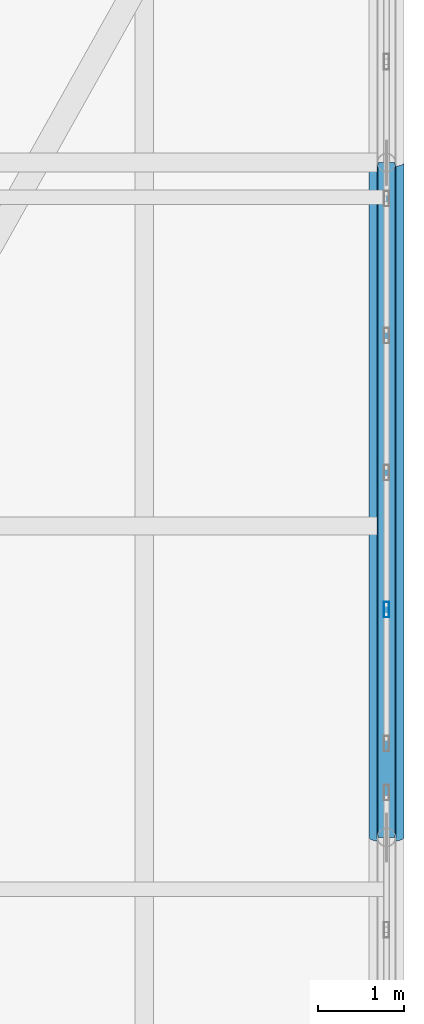
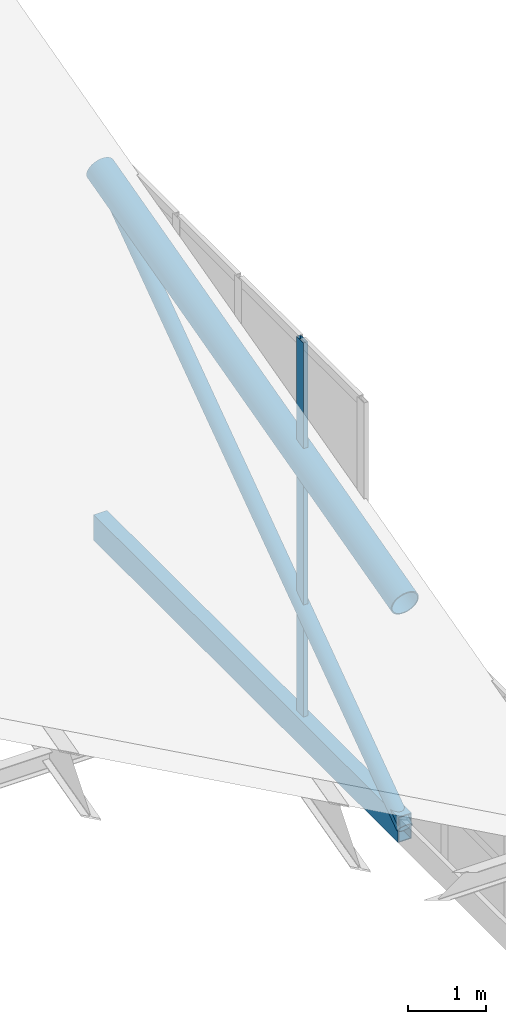
# One storey, part 26 of 43: 4 members, 1 element without a shape of its own.
"""IFC4 building model written with IfcOpenShell, lengths in metres."""

from ifc_helpers import new_model, si_unit, direction, frame, origin, origin_2d, place, context, subcontext, project, spatial, hollow_rectangle, hollow_circle, extrude, material, layer, layer_set, material_profile, profile_set, type_object, element, aggregate, save


model = new_model("IFC4")

# Units and contexts
model_context = context("Model", 3, precision=1e-05, world=origin(), true_north=direction((0.0, 1.0)))
body_context = subcontext(model_context, "Body", "Model", "MODEL_VIEW")
ifc_project = project(units=[si_unit("LENGTHUNIT", "METRE"), si_unit("AREAUNIT", "SQUARE_METRE"), si_unit("VOLUMEUNIT", "CUBIC_METRE"), si_unit("PLANEANGLEUNIT", "RADIAN"), si_unit("MASSUNIT", "GRAM", prefix="KILO")], contexts=[model_context])

# Site, building, storey
site_placement = place(None, origin())
site = spatial("IfcSite", under=ifc_project, at=site_placement, CompositionType="ELEMENT")
building_placement = place(site_placement, origin())
building = spatial("IfcBuilding", under=site, at=building_placement, Name="Selat Folded Stagehouse", CompositionType="ELEMENT")
storey_placement = place(building_placement, frame((0.0, 0.0, 32.39990234375)))
storey = spatial("IfcBuildingStorey", under=building, at=storey_placement, Name="RF", CompositionType="ELEMENT", Elevation=32.39990234375)

# Curtain wall, member
ifc_material_1 = material(Name="Aluminium 6063-T6", Category="aluminium")
ifc_layer = layer(ifc_material_1, 0.169921875)
ifc_layer_set = layer_set([ifc_layer], Name="Aluminium 6063-T6")
curtain_wall_type = type_object("IfcCurtainWallType", Name="CW-CRN-CLER", PredefinedType="NOTDEFINED", material=ifc_layer_set)
curtain_wall_placement = place(storey_placement, origin())
curtain_wall = element("IfcCurtainWall", 1, at=curtain_wall_placement, inside=storey, type_object=curtain_wall_type, Name="RF curtain wall CW-RF-E-02", PredefinedType="NOTDEFINED")
ifc_material_profile_1 = material_profile(ifc_material_1, hollow_rectangle(XDim=0.06494140625, YDim=0.179931640625, WallThickness=0.00390625, at=origin_2d()), Name="ALU 180x65x4.0")
ifc_profile_set_1 = profile_set([ifc_material_profile_1], Name="Aluminium 6063-T6")
member_type_1 = type_object("IfcMemberType", Name="CWM-MUL-180x65", PredefinedType="MULLION", material=ifc_profile_set_1)
member_1_placement = place(storey_placement, frame((67.199951171875, 33.833251953125, 0.0), z_axis=(0.0, 0.0, 1.0), x_axis=(1.0, 0.0, 0.0)))
member_1 = element("IfcMember", 2, at=member_1_placement, type_object=member_type_1, Name="CW-09 mullion 6", PredefinedType="MULLION", context=body_context, shape_type="SweptSolid", body=[
    extrude(hollow_rectangle(XDim=0.06494140625, YDim=0.179931640625, WallThickness=0.00390625, at=origin_2d()), origin(), (0.0, 0.0, 1.0), 6.2001953125),
])
aggregate(curtain_wall, [member_1])

# Members
ifc_material_2 = material(Name="Steel S355", Category="steel")
ifc_material_profile_2 = material_profile(ifc_material_2, hollow_circle(Radius=0.109619140625, WallThickness=0.010009765625, at=origin_2d()), Name="CHS 219.1x10.0")
ifc_profile_set_2 = profile_set([ifc_material_profile_2], Name="Steel S355")
member_type_2 = type_object("IfcMemberType", Name="MEM-BRACE-CHS219", PredefinedType="BRACE", material=ifc_profile_set_2)
member_2_placement = place(storey_placement, frame((67.199951171875, 31.199951171875, 0.150146484375), z_axis=(0.0, 0.813513193396, 0.581546459168), x_axis=(-1.0, 0.0, 0.0)))
element("IfcMember", 3, at=member_2_placement, inside=storey, type_object=member_type_2, Name="Folded-plate web diagonal 8.2", PredefinedType="BRACE", context=body_context, shape_type="SweptSolid", body=[
    extrude(hollow_circle(Radius=0.109619140625, WallThickness=0.010009765625, at=origin_2d()), origin(), (0.0, 0.0, 1.0), 9.588134765625),
])
ifc_material_profile_3 = material_profile(ifc_material_2, hollow_circle(Radius=0.203125, WallThickness=0.01611328125, at=origin_2d()), Name="CHS 406.4x16.0")
ifc_profile_set_3 = profile_set([ifc_material_profile_3], Name="Steel S355")
member_type_3 = type_object("IfcMemberType", Name="MEM-CHORD-CHS406", PredefinedType="CHORD", material=ifc_profile_set_3)
member_3_placement = place(storey_placement, frame((67.199951171875, 31.199951171875, 3.66552734375), z_axis=(0.0, 0.966833028455, 0.255409269779), x_axis=(-1.0, 0.0, 0.0)))
element("IfcMember", 4, at=member_3_placement, inside=storey, type_object=member_type_3, Name="Folded-plate top chord 8.2", PredefinedType="CHORD", context=body_context, shape_type="SweptSolid", body=[
    extrude(hollow_circle(Radius=0.203125, WallThickness=0.01611328125, at=origin_2d()), origin(), (0.0, 0.0, 1.0), 8.067626953125),
])
ifc_material_profile_4 = material_profile(ifc_material_2, hollow_rectangle(XDim=0.199951171875, YDim=0.39990234375, WallThickness=0.012451171875, at=origin_2d()), Name="RHS 400x200x12.5")
ifc_profile_set_4 = profile_set([ifc_material_profile_4], Name="Steel S355")
member_type_4 = type_object("IfcMemberType", Name="MEM-CHORD-RHS400", PredefinedType="CHORD", material=ifc_profile_set_4)
member_4_placement = place(storey_placement, frame((67.199951171875, 31.199951171875, 0.150146484375), z_axis=(0.0, 1.0, 0.0), x_axis=(-1.0, 0.0, 0.0)))
element("IfcMember", 5, at=member_4_placement, inside=storey, type_object=member_type_4, Name="Folded-plate bottom tie 8.2", PredefinedType="CHORD", context=body_context, shape_type="SweptSolid", body=[
    extrude(hollow_rectangle(XDim=0.199951171875, YDim=0.39990234375, WallThickness=0.012451171875, at=origin_2d()), origin(), (0.0, 0.0, 1.0), 7.800048828125),
])

save(model, "model.ifc")
